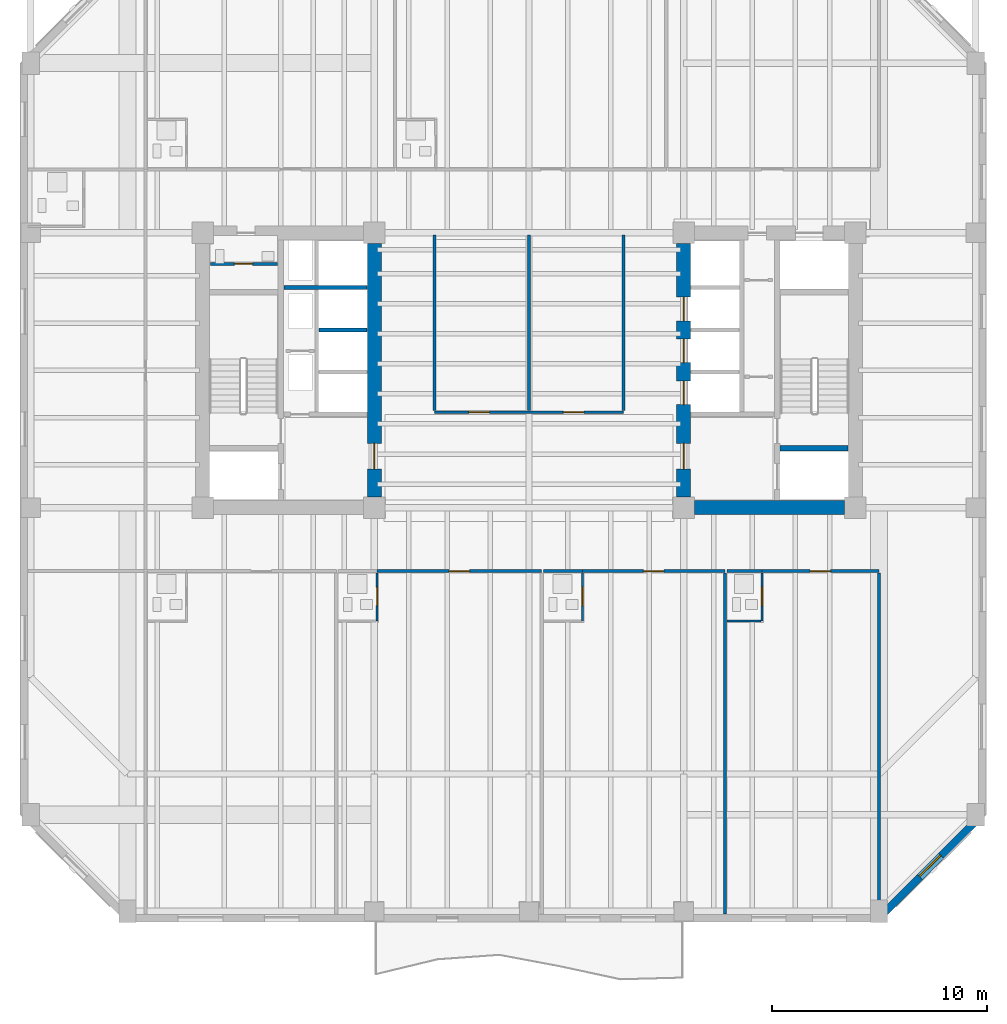
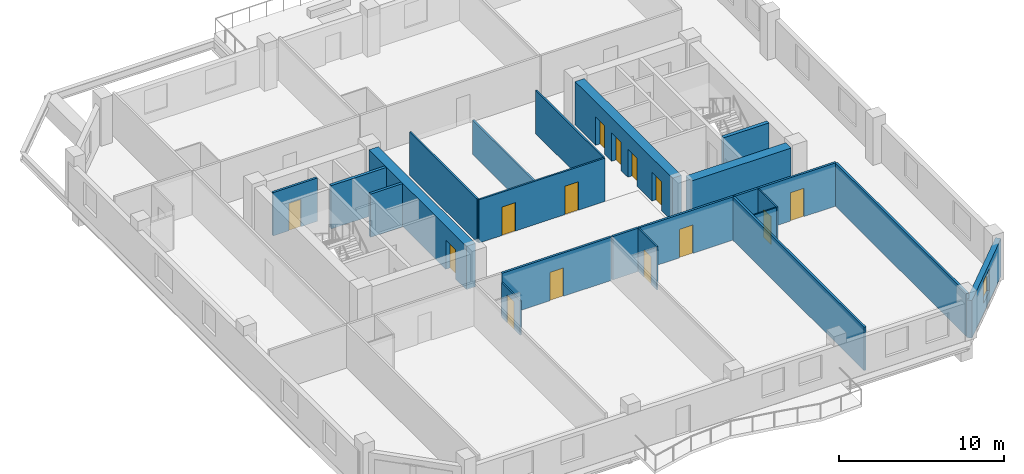
# One storey, part 4 of 11: 23 walls, 14 doors, 1 window, 15 openings.
"""IFC4 building model written with IfcOpenShell, lengths in metres."""

from ifc_helpers import new_model, si_unit, direction, frame, frame_2d, origin, place, context, subcontext, project, spatial, rectangle, extrude, material, layer, layer_set, type_object, element, fill, save


model = new_model("IFC4")

# Units and contexts
model_context = context("Model", 3, precision=1e-05, world=origin(), true_north=direction((0.0, 1.0)))
body_context = subcontext(model_context, "Body", "Model", "MODEL_VIEW")
ifc_project = project(units=[si_unit("LENGTHUNIT", "METRE"), si_unit("AREAUNIT", "SQUARE_METRE"), si_unit("VOLUMEUNIT", "CUBIC_METRE"), si_unit("PLANEANGLEUNIT", "RADIAN"), si_unit("MASSUNIT", "GRAM", prefix="KILO")], contexts=[model_context])

# Site, building, storey
site_placement = place(None, origin())
site = spatial("IfcSite", under=ifc_project, at=site_placement, CompositionType="ELEMENT")
building_placement = place(site_placement, origin())
building = spatial("IfcBuilding", under=site, at=building_placement, Name="Kranthara Brick Stack", CompositionType="ELEMENT")
storey_placement = place(building_placement, frame((0.0, 0.0, 120.300048828125)))
storey = spatial("IfcBuildingStorey", under=building, at=storey_placement, Name="L29", CompositionType="ELEMENT", Elevation=120.300048828125)

# Wall, opening, window
ifc_material_1 = material(Name="Kiln-fired clay brick masonry M15", Category="masonry")
ifc_layer_1 = layer(ifc_material_1, 0.35009765625)
ifc_layer_set_1 = layer_set([ifc_layer_1], Name="Kiln-fired clay brick masonry M15")
wall_type_1 = type_object("IfcWallType", Name="WL-BRK-SPND-350", PredefinedType="STANDARD", material=ifc_layer_set_1)
wall_1_placement = place(storey_placement, frame((49.10498046875, 6.5, 0.0), z_axis=(0.0, 0.0, 1.0), x_axis=(-0.707106781187, -0.707106781187, 0.0)))
wall_1 = element("IfcWall", 1, at=wall_1_placement, inside=storey, type_object=wall_type_1, Name="L29 Exterior Brick Facade Wall SE 1", PredefinedType="STANDARD", context=body_context, shape_type="SweptSolid", body=[
    extrude(rectangle(XDim=6.795166015625, YDim=0.35009765625, at=frame_2d((3.3974609375, 0.0))), origin(), (0.0, 0.0, 1.0), 2.784912109375),
])
opening_1_placement = place(wall_1_placement, frame((2.697998046875, 0.0, 0.75)))
opening_1 = element("IfcOpeningElement", 2, at=opening_1_placement, cuts=wall_1, Name="Opening WN10", PredefinedType="OPENING", context=body_context, shape_type="SweptSolid", body=[
    extrude(rectangle(XDim=1.39990234375, YDim=1.64990234375, at=frame_2d((0.699951171875, 0.824951171875))), frame((0.0, 0.18505859375, 0.0), z_axis=(0.0, -1.0, 0.0), x_axis=(1.0, 0.0, 0.0)), (0.0, 0.0, 1.0), 0.3701171875),
])
ifc_material_2 = material(Name="Double-glazed low-E solar control glass", Category="glass")
window_type = type_object("IfcWindowType", Name="WN-CHM-1400x1750", PartitioningType="SINGLE_PANEL", PredefinedType="WINDOW", material=ifc_material_2)
window_placement = place(opening_1_placement, origin())
window = element("IfcWindow", 3, at=window_placement, inside=storey, type_object=window_type, Name="L29 SE Chamfer Corner Window", OverallHeight=1.64990234375, OverallWidth=1.39990234375, PartitioningType="SINGLE_PANEL", PredefinedType="WINDOW", context=body_context, shape_type="SweptSolid", body=[
    extrude(rectangle(XDim=1.39990234375, YDim=1.64990234375, at=frame_2d((0.699951171875, 0.824951171875))), frame((0.0, -0.010009765625, 0.0), z_axis=(0.0, -1.0, 0.0), x_axis=(1.0, 0.0, 0.0)), (0.0, 0.0, 1.0), 0.06005859375),
])
fill(opening_1, window)

# Wall
ifc_material_3 = material(Name="Concrete C50/60", Category="concrete")
ifc_layer_2 = layer(ifc_material_3, 0.25)
ifc_layer_set_2 = layer_set([ifc_layer_2], Name="Concrete C50/60")
wall_type_2 = type_object("IfcWallType", Name="WL-CORE-250", PredefinedType="SHEAR", material=ifc_layer_set_2)
wall_2_placement = place(storey_placement, frame((39.68994140625, 23.570068359375, 0.0), z_axis=(0.0, 0.0, 1.0), x_axis=(1.0, 0.0, 0.0)))
element("IfcWall", 4, at=wall_2_placement, inside=storey, type_object=wall_type_2, Name="L29 East Stairwell Bearing Wall EFF", PredefinedType="SHEAR", context=body_context, shape_type="SweptSolid", body=[
    extrude(rectangle(XDim=3.175048828125, YDim=0.25, at=frame_2d((1.58740234375, 0.0))), origin(), (0.0, 0.0, 1.0), 3.199951171875),
])

# Wall, opening, door
ifc_material_4 = material(Name="Concrete C60/75", Category="concrete")
ifc_layer_3 = layer(ifc_material_4, 0.64990234375)
ifc_layer_set_3 = layer_set([ifc_layer_3], Name="Concrete C60/75")
wall_type_3 = type_object("IfcWallType", Name="WL-CORE-650", PredefinedType="SHEAR", material=ifc_layer_set_3)
wall_3_placement = place(storey_placement, frame((20.800048828125, 21.304931640625, 0.0), z_axis=(0.0, 0.0, 1.0), x_axis=(0.0, 1.0, 0.0)))
wall_3 = element("IfcWall", 5, at=wall_3_placement, inside=storey, type_object=wall_type_3, Name="L29 West Core Shear Wall East", PredefinedType="SHEAR", context=body_context, shape_type="SweptSolid", body=[
    extrude(rectangle(XDim=11.7900390625, YDim=0.64990234375, at=frame_2d((5.89501953125, 0.0))), origin(), (0.0, 0.0, 1.0), 3.199951171875),
])
opening_2_placement = place(wall_3_placement, frame((1.294921875, 0.0, 0.0)))
opening_2 = element("IfcOpeningElement", 6, at=opening_2_placement, cuts=wall_3, Name="Opening D06", PredefinedType="OPENING", context=body_context, shape_type="SweptSolid", body=[
    extrude(rectangle(XDim=1.199951171875, YDim=2.14990234375, at=frame_2d((0.60009765625, 1.074951171875))), frame((0.0, 0.3349609375, 0.0), z_axis=(0.0, -1.0, 0.0), x_axis=(1.0, 0.0, 0.0)), (0.0, 0.0, 1.0), 0.669921875),
])
ifc_material_5 = material(Name="Solid-core hardwood timber leaf in steel frame", Category="steel")
door_type_1 = type_object("IfcDoorType", Name="DR-FFL-1200", OperationType="NOTDEFINED", PredefinedType="DOOR", material=ifc_material_5)
door_1_placement = place(opening_2_placement, origin())
door_1 = element("IfcDoor", 7, at=door_1_placement, inside=storey, type_object=door_type_1, Name="L29 West Firefighting Lobby Door", OperationType="SINGLE_SWING_LEFT", OverallHeight=2.14990234375, OverallWidth=1.199951171875, PredefinedType="DOOR", context=body_context, shape_type="SweptSolid", body=[
    extrude(rectangle(XDim=1.199951171875, YDim=2.14990234375, at=frame_2d((0.60009765625, 1.074951171875))), frame((0.0, 0.02490234375, 0.0), z_axis=(0.0, -1.0, 0.0), x_axis=(1.0, 0.0, 0.0)), (0.0, 0.0, 1.0), 0.050048828125),
])
fill(opening_2, door_1)

# Wall
wall_4_placement = place(storey_placement, frame((35.705078125, 20.800048828125, 0.0), z_axis=(0.0, 0.0, 1.0), x_axis=(1.0, 0.0, 0.0)))
element("IfcWall", 8, at=wall_4_placement, inside=storey, type_object=wall_type_3, Name="L29 East Core Shear Wall South", PredefinedType="SHEAR", context=body_context, shape_type="SweptSolid", body=[
    extrude(rectangle(XDim=6.989990234375, YDim=0.64990234375, at=frame_2d((3.4951171875, 0.0))), origin(), (0.0, 0.0, 1.0), 3.199951171875),
])

# Wall, openings, doors
wall_5_placement = place(storey_placement, frame((35.199951171875, 21.304931640625, 0.0), z_axis=(0.0, 0.0, 1.0), x_axis=(0.0, 1.0, 0.0)))
wall_5 = element("IfcWall", 9, at=wall_5_placement, inside=storey, type_object=wall_type_3, Name="L29 East Core Shear Wall West", PredefinedType="SHEAR", context=body_context, shape_type="SweptSolid", body=[
    extrude(rectangle(XDim=11.7900390625, YDim=0.64990234375, at=frame_2d((5.89501953125, 0.0))), origin(), (0.0, 0.0, 1.0), 3.199951171875),
])
opening_3_placement = place(wall_5_placement, frame((1.294921875, 0.0, 0.0)))
opening_3 = element("IfcOpeningElement", 10, at=opening_3_placement, cuts=wall_5, Name="Opening D06", PredefinedType="OPENING", context=body_context, shape_type="SweptSolid", body=[
    extrude(rectangle(XDim=1.199951171875, YDim=2.14990234375, at=frame_2d((0.60009765625, 1.074951171875))), frame((0.0, 0.3349609375, 0.0), z_axis=(0.0, -1.0, 0.0), x_axis=(1.0, 0.0, 0.0)), (0.0, 0.0, 1.0), 0.669921875),
])
opening_4_placement = place(wall_5_placement, frame((4.294921875, 0.0, 0.0)))
opening_4 = element("IfcOpeningElement", 11, at=opening_4_placement, cuts=wall_5, Name="Opening LD02", PredefinedType="OPENING", context=body_context, shape_type="SweptSolid", body=[
    extrude(rectangle(XDim=1.10009765625, YDim=2.10009765625, at=frame_2d((0.550048828125, 1.050048828125))), frame((0.0, 0.3349609375, 0.0), z_axis=(0.0, -1.0, 0.0), x_axis=(1.0, 0.0, 0.0)), (0.0, 0.0, 1.0), 0.669921875),
])
opening_5_placement = place(wall_5_placement, frame((6.2451171875, 0.0, 0.0)))
opening_5 = element("IfcOpeningElement", 12, at=opening_5_placement, cuts=wall_5, Name="Opening LD02", PredefinedType="OPENING", context=body_context, shape_type="SweptSolid", body=[
    extrude(rectangle(XDim=1.10009765625, YDim=2.10009765625, at=frame_2d((0.550048828125, 1.050048828125))), frame((0.0, 0.3349609375, 0.0), z_axis=(0.0, -1.0, 0.0), x_axis=(1.0, 0.0, 0.0)), (0.0, 0.0, 1.0), 0.669921875),
])
opening_6_placement = place(wall_5_placement, frame((8.195068359375, 0.0, 0.0)))
opening_6 = element("IfcOpeningElement", 13, at=opening_6_placement, cuts=wall_5, Name="Opening LD02", PredefinedType="OPENING", context=body_context, shape_type="SweptSolid", body=[
    extrude(rectangle(XDim=1.10009765625, YDim=2.10009765625, at=frame_2d((0.550048828125, 1.050048828125))), frame((0.0, 0.3349609375, 0.0), z_axis=(0.0, -1.0, 0.0), x_axis=(1.0, 0.0, 0.0)), (0.0, 0.0, 1.0), 0.669921875),
])
door_2_placement = place(opening_3_placement, origin())
door_2 = element("IfcDoor", 14, at=door_2_placement, inside=storey, type_object=door_type_1, Name="L29 East Firefighting Lobby Door", OperationType="SINGLE_SWING_RIGHT", OverallHeight=2.14990234375, OverallWidth=1.199951171875, PredefinedType="DOOR", context=body_context, shape_type="SweptSolid", body=[
    extrude(rectangle(XDim=1.199951171875, YDim=2.14990234375, at=frame_2d((0.60009765625, 1.074951171875))), frame((0.0, 0.02490234375, 0.0), z_axis=(0.0, -1.0, 0.0), x_axis=(1.0, 0.0, 0.0)), (0.0, 0.0, 1.0), 0.050048828125),
])
fill(opening_3, door_2)
ifc_material_6 = material(Name="Stainless steel sliding landing door", Category="steel")
door_type_2 = type_object("IfcDoorType", Name="DR-LD-PL1100", OperationType="DOUBLE_DOOR_SLIDING", PredefinedType="DOOR", material=ifc_material_6)
door_3_placement = place(opening_4_placement, origin())
door_3 = element("IfcDoor", 15, at=door_3_placement, inside=storey, type_object=door_type_2, Name="L29 PL-04 Lift Landing Door", OperationType="DOUBLE_DOOR_SLIDING", OverallHeight=2.10009765625, OverallWidth=1.10009765625, PredefinedType="DOOR", context=body_context, shape_type="SweptSolid", body=[
    extrude(rectangle(XDim=1.10009765625, YDim=2.10009765625, at=frame_2d((0.550048828125, 1.050048828125))), frame((0.0, 0.02490234375, 0.0), z_axis=(0.0, -1.0, 0.0), x_axis=(1.0, 0.0, 0.0)), (0.0, 0.0, 1.0), 0.050048828125),
])
fill(opening_4, door_3)
door_4_placement = place(opening_5_placement, origin())
door_4 = element("IfcDoor", 16, at=door_4_placement, inside=storey, type_object=door_type_2, Name="L29 PL-05 Lift Landing Door", OperationType="DOUBLE_DOOR_SLIDING", OverallHeight=2.10009765625, OverallWidth=1.10009765625, PredefinedType="DOOR", context=body_context, shape_type="SweptSolid", body=[
    extrude(rectangle(XDim=1.10009765625, YDim=2.10009765625, at=frame_2d((0.550048828125, 1.050048828125))), frame((0.0, 0.02490234375, 0.0), z_axis=(0.0, -1.0, 0.0), x_axis=(1.0, 0.0, 0.0)), (0.0, 0.0, 1.0), 0.050048828125),
])
fill(opening_5, door_4)
door_5_placement = place(opening_6_placement, origin())
door_5 = element("IfcDoor", 17, at=door_5_placement, inside=storey, type_object=door_type_2, Name="L29 PL-06 Lift Landing Door", OperationType="DOUBLE_DOOR_SLIDING", OverallHeight=2.10009765625, OverallWidth=1.10009765625, PredefinedType="DOOR", context=body_context, shape_type="SweptSolid", body=[
    extrude(rectangle(XDim=1.10009765625, YDim=2.10009765625, at=frame_2d((0.550048828125, 1.050048828125))), frame((0.0, 0.02490234375, 0.0), z_axis=(0.0, -1.0, 0.0), x_axis=(1.0, 0.0, 0.0)), (0.0, 0.0, 1.0), 0.050048828125),
])
fill(opening_6, door_5)

# Wall, opening, door
ifc_material_7 = material(Name="Moisture-resistant wet-room partition", Category="other")
ifc_layer_4 = layer(ifc_material_7, 0.10009765625)
ifc_layer_set_4 = layer_set([ifc_layer_4], Name="Moisture-resistant wet-room partition")
wall_type_4 = type_object("IfcWallType", Name="WL-PART-100", PredefinedType="PARTITIONING", material=ifc_layer_set_4)
wall_6_placement = place(storey_placement, frame((20.928955078125, 15.52001953125, 0.0), z_axis=(0.0, 0.0, 1.0), x_axis=(0.0, 1.0, 0.0)))
wall_6 = element("IfcWall", 18, at=wall_6_placement, inside=storey, type_object=wall_type_4, Name="L29 Interior Partition 017", PredefinedType="PARTITIONING", context=body_context, shape_type="SweptSolid", body=[
    extrude(rectangle(XDim=2.25, YDim=0.10009765625, at=frame_2d((1.125, 0.0))), origin(), (0.0, 0.0, 1.0), 2.534912109375),
])
opening_7_placement = place(wall_6_placement, frame((0.719970703125, 0.0, 0.0)))
opening_7 = element("IfcOpeningElement", 19, at=opening_7_placement, cuts=wall_6, Name="Opening D17", PredefinedType="OPENING", context=body_context, shape_type="SweptSolid", body=[
    extrude(rectangle(XDim=0.85009765625, YDim=2.050048828125, at=frame_2d((0.425048828125, 1.02490234375))), frame((0.0, 0.06005859375, 0.0), z_axis=(0.0, -1.0, 0.0), x_axis=(1.0, 0.0, 0.0)), (0.0, 0.0, 1.0), 0.1201171875),
])
ifc_material_8 = material(Name="Solid-core hardwood timber leaf in steel frame", Category="steel")
door_type_3 = type_object("IfcDoorType", Name="DR-WET-850", OperationType="NOTDEFINED", PredefinedType="DOOR", material=ifc_material_8)
door_6_placement = place(opening_7_placement, origin())
door_6 = element("IfcDoor", 20, at=door_6_placement, inside=storey, type_object=door_type_3, Name="L29 Key 02 En-Suite Door 09", OperationType="SINGLE_SWING_LEFT", OverallHeight=2.050048828125, OverallWidth=0.85009765625, PredefinedType="DOOR", context=body_context, shape_type="SweptSolid", body=[
    extrude(rectangle(XDim=0.85009765625, YDim=2.050048828125, at=frame_2d((0.425048828125, 1.02490234375))), frame((0.0, 0.02490234375, 0.0), z_axis=(0.0, -1.0, 0.0), x_axis=(1.0, 0.0, 0.0)), (0.0, 0.0, 1.0), 0.050048828125),
])
fill(opening_7, door_6)

wall_7_placement = place(storey_placement, frame((30.490966796875, 15.52001953125, 0.0), z_axis=(0.0, 0.0, 1.0), x_axis=(0.0, 1.0, 0.0)))
wall_7 = element("IfcWall", 21, at=wall_7_placement, inside=storey, type_object=wall_type_4, Name="L29 Interior Partition 022", PredefinedType="PARTITIONING", context=body_context, shape_type="SweptSolid", body=[
    extrude(rectangle(XDim=2.25, YDim=0.10009765625, at=frame_2d((1.125, 0.0))), origin(), (0.0, 0.0, 1.0), 3.199951171875),
])
opening_8_placement = place(wall_7_placement, frame((0.719970703125, 0.0, 0.0)))
opening_8 = element("IfcOpeningElement", 22, at=opening_8_placement, cuts=wall_7, Name="Opening D17", PredefinedType="OPENING", context=body_context, shape_type="SweptSolid", body=[
    extrude(rectangle(XDim=0.85009765625, YDim=2.050048828125, at=frame_2d((0.425048828125, 1.02490234375))), frame((0.0, 0.06005859375, 0.0), z_axis=(0.0, -1.0, 0.0), x_axis=(1.0, 0.0, 0.0)), (0.0, 0.0, 1.0), 0.1201171875),
])
door_7_placement = place(opening_8_placement, origin())
door_7 = element("IfcDoor", 23, at=door_7_placement, inside=storey, type_object=door_type_3, Name="L29 Key 03 En-Suite Door 11", OperationType="SINGLE_SWING_LEFT", OverallHeight=2.050048828125, OverallWidth=0.85009765625, PredefinedType="DOOR", context=body_context, shape_type="SweptSolid", body=[
    extrude(rectangle(XDim=0.85009765625, YDim=2.050048828125, at=frame_2d((0.425048828125, 1.02490234375))), frame((0.0, 0.02490234375, 0.0), z_axis=(0.0, -1.0, 0.0), x_axis=(1.0, 0.0, 0.0)), (0.0, 0.0, 1.0), 0.050048828125),
])
fill(opening_8, door_7)

wall_8_placement = place(storey_placement, frame((38.85009765625, 15.52001953125, 0.0), z_axis=(0.0, 0.0, 1.0), x_axis=(0.0, 1.0, 0.0)))
wall_8 = element("IfcWall", 24, at=wall_8_placement, inside=storey, type_object=wall_type_4, Name="L29 Interior Partition 027", PredefinedType="PARTITIONING", context=body_context, shape_type="SweptSolid", body=[
    extrude(rectangle(XDim=2.25, YDim=0.10009765625, at=frame_2d((1.125, 0.0))), origin(), (0.0, 0.0, 1.0), 3.199951171875),
])
opening_9_placement = place(wall_8_placement, frame((0.719970703125, 0.0, 0.0)))
opening_9 = element("IfcOpeningElement", 25, at=opening_9_placement, cuts=wall_8, Name="Opening D17", PredefinedType="OPENING", context=body_context, shape_type="SweptSolid", body=[
    extrude(rectangle(XDim=0.85009765625, YDim=2.050048828125, at=frame_2d((0.425048828125, 1.02490234375))), frame((0.0, 0.06005859375, 0.0), z_axis=(0.0, -1.0, 0.0), x_axis=(1.0, 0.0, 0.0)), (0.0, 0.0, 1.0), 0.1201171875),
])
door_8_placement = place(opening_9_placement, origin())
door_8 = element("IfcDoor", 26, at=door_8_placement, inside=storey, type_object=door_type_3, Name="L29 Key 04 En-Suite Door 13", OperationType="SINGLE_SWING_LEFT", OverallHeight=2.050048828125, OverallWidth=0.85009765625, PredefinedType="DOOR", context=body_context, shape_type="SweptSolid", body=[
    extrude(rectangle(XDim=0.85009765625, YDim=2.050048828125, at=frame_2d((0.425048828125, 1.02490234375))), frame((0.0, 0.02490234375, 0.0), z_axis=(0.0, -1.0, 0.0), x_axis=(1.0, 0.0, 0.0)), (0.0, 0.0, 1.0), 0.050048828125),
])
fill(opening_9, door_8)

# Wall
wall_9_placement = place(storey_placement, frame((37.208984375, 15.52001953125, 0.0), z_axis=(0.0, 0.0, 1.0), x_axis=(1.0, 0.0, 0.0)))
element("IfcWall", 27, at=wall_9_placement, inside=storey, type_object=wall_type_4, Name="L29 Interior Partition 028", PredefinedType="PARTITIONING", context=body_context, shape_type="SweptSolid", body=[
    extrude(rectangle(XDim=1.5859375, YDim=0.10009765625, at=frame_2d((0.79296875, 0.0))), origin(), (0.0, 0.0, 1.0), 3.199951171875),
])

# Wall, openings, doors
ifc_material_9 = material(Name="Acoustic gypsum plasterboard partition", Category="other")
ifc_layer_5 = layer(ifc_material_9, 0.1201171875)
ifc_layer_set_5 = layer_set([ifc_layer_5], Name="Acoustic gypsum plasterboard partition")
wall_type_5 = type_object("IfcWallType", Name="WL-PART-120", PredefinedType="PARTITIONING", material=ifc_layer_set_5)
wall_10_placement = place(storey_placement, frame((23.60009765625, 25.25, 0.0), z_axis=(0.0, 0.0, 1.0), x_axis=(1.0, 0.0, 0.0)))
wall_10 = element("IfcWall", 28, at=wall_10_placement, inside=storey, type_object=wall_type_5, Name="L29 Interior Partition 005", PredefinedType="PARTITIONING", context=body_context, shape_type="SweptSolid", body=[
    extrude(rectangle(XDim=8.7998046875, YDim=0.1201171875, at=frame_2d((4.39990234375, 0.0))), origin(), (0.0, 0.0, 1.0), 3.199951171875),
])
opening_10_placement = place(wall_10_placement, frame((1.60009765625, 0.0, 0.0)))
opening_10 = element("IfcOpeningElement", 29, at=opening_10_placement, cuts=wall_10, Name="Opening D14", PredefinedType="OPENING", context=body_context, shape_type="SweptSolid", body=[
    extrude(rectangle(XDim=0.949951171875, YDim=2.10009765625, at=frame_2d((0.47509765625, 1.050048828125))), frame((0.0, 0.070068359375, 0.0), z_axis=(0.0, -1.0, 0.0), x_axis=(1.0, 0.0, 0.0)), (0.0, 0.0, 1.0), 0.14013671875),
])
opening_11_placement = place(wall_10_placement, frame((6.0, 0.0, 0.0)))
opening_11 = element("IfcOpeningElement", 30, at=opening_11_placement, cuts=wall_10, Name="Opening D14", PredefinedType="OPENING", context=body_context, shape_type="SweptSolid", body=[
    extrude(rectangle(XDim=0.949951171875, YDim=2.10009765625, at=frame_2d((0.47509765625, 1.050048828125))), frame((0.0, 0.070068359375, 0.0), z_axis=(0.0, -1.0, 0.0), x_axis=(1.0, 0.0, 0.0)), (0.0, 0.0, 1.0), 0.14013671875),
])
ifc_material_10 = material(Name="Solid-core hardwood timber leaf in steel frame", Category="steel")
door_type_4 = type_object("IfcDoorType", Name="DR-INT-950", OperationType="NOTDEFINED", PredefinedType="DOOR", material=ifc_material_10)
door_9_placement = place(opening_10_placement, origin())
door_9 = element("IfcDoor", 31, at=door_9_placement, inside=storey, type_object=door_type_4, Name="L29 Business Study Door 05", OperationType="SINGLE_SWING_LEFT", OverallHeight=2.10009765625, OverallWidth=0.949951171875, PredefinedType="DOOR", context=body_context, shape_type="SweptSolid", body=[
    extrude(rectangle(XDim=0.949951171875, YDim=2.10009765625, at=frame_2d((0.47509765625, 1.050048828125))), frame((0.0, 0.02490234375, 0.0), z_axis=(0.0, -1.0, 0.0), x_axis=(1.0, 0.0, 0.0)), (0.0, 0.0, 1.0), 0.050048828125),
])
fill(opening_10, door_9)
door_10_placement = place(opening_11_placement, origin())
door_10 = element("IfcDoor", 32, at=door_10_placement, inside=storey, type_object=door_type_4, Name="L29 Housekeeping Linen Door 06", OperationType="SINGLE_SWING_RIGHT", OverallHeight=2.10009765625, OverallWidth=0.949951171875, PredefinedType="DOOR", context=body_context, shape_type="SweptSolid", body=[
    extrude(rectangle(XDim=0.949951171875, YDim=2.10009765625, at=frame_2d((0.47509765625, 1.050048828125))), frame((0.0, 0.02490234375, 0.0), z_axis=(0.0, -1.0, 0.0), x_axis=(1.0, 0.0, 0.0)), (0.0, 0.0, 1.0), 0.050048828125),
])
fill(opening_11, door_10)

# Walls
for number, where, z_axis, x_axis, name in (
    (33, (23.60009765625, 25.31494140625, 0.0), (0.0, 0.0, 1.0), (0.0, 1.0, 0.0), "L29 Interior Partition 006"),
    (34, (32.39990234375, 25.31494140625, 0.0), (0.0, 0.0, 1.0), (0.0, 1.0, 0.0), "L29 Interior Partition 007"),
):
    element("IfcWall", number, at=place(storey_placement, frame(where, z_axis=z_axis, x_axis=x_axis)), inside=storey, type_object=wall_type_5, Name=name, PredefinedType="PARTITIONING", context=body_context, shape_type="SweptSolid", body=[
        extrude(rectangle(XDim=8.18505859375, YDim=0.1201171875, at=frame_2d((4.092529296875, 0.0))), origin(), (0.0, 0.0, 1.0), 3.199951171875),
    ])
wall_11_placement = place(storey_placement, frame((28.0, 25.31494140625, 0.0), z_axis=(0.0, 0.0, 1.0), x_axis=(0.0, 1.0, 0.0)))
element("IfcWall", 35, at=wall_11_placement, inside=storey, type_object=wall_type_5, Name="L29 Interior Partition 008", PredefinedType="PARTITIONING", context=body_context, shape_type="SweptSolid", body=[
    extrude(rectangle(XDim=8.18505859375, YDim=0.1201171875, at=frame_2d((4.092529296875, 0.0))), origin(), (0.0, 0.0, 1.0), 2.534912109375),
])

# Wall, opening, door
ifc_material_11 = material(Name="Fire-rated gypsum board partition", Category="other")
ifc_layer_6 = layer(ifc_material_11, 0.14990234375)
ifc_layer_set_6 = layer_set([ifc_layer_6], Name="Fire-rated gypsum board partition")
wall_type_6 = type_object("IfcWallType", Name="WL-PART-150", PredefinedType="PARTITIONING", material=ifc_layer_set_6)
wall_12_placement = place(storey_placement, frame((13.179931640625, 32.14990234375, 0.0), z_axis=(0.0, 0.0, 1.0), x_axis=(1.0, 0.0, 0.0)))
wall_12 = element("IfcWall", 36, at=wall_12_placement, inside=storey, type_object=wall_type_6, Name="L29 Interior Partition 001", PredefinedType="PARTITIONING", context=body_context, shape_type="SweptSolid", body=[
    extrude(rectangle(XDim=3.10009765625, YDim=0.14990234375, at=frame_2d((1.550048828125, 0.0))), origin(), (0.0, 0.0, 1.0), 3.199951171875),
])
opening_12_placement = place(wall_12_placement, frame((1.10009765625, 0.0, 0.0)))
opening_12 = element("IfcOpeningElement", 37, at=opening_12_placement, cuts=wall_12, Name="Opening D10", PredefinedType="OPENING", context=body_context, shape_type="SweptSolid", body=[
    extrude(rectangle(XDim=0.85009765625, YDim=2.02001953125, at=frame_2d((0.425048828125, 1.010009765625))), frame((0.0, 0.0849609375, 0.0), z_axis=(0.0, -1.0, 0.0), x_axis=(1.0, 0.0, 0.0)), (0.0, 0.0, 1.0), 0.169921875),
])
ifc_material_12 = material(Name="Solid-core hardwood timber leaf in steel frame", Category="steel")
door_type_5 = type_object("IfcDoorType", Name="DR-RSR-850", OperationType="NOTDEFINED", PredefinedType="DOOR", material=ifc_material_12)
door_11_placement = place(opening_12_placement, origin())
door_11 = element("IfcDoor", 38, at=door_11_placement, inside=storey, type_object=door_type_5, Name="L29 West Inner Riser Door 01", OperationType="SINGLE_SWING_LEFT", OverallHeight=2.02001953125, OverallWidth=0.85009765625, PredefinedType="DOOR", context=body_context, shape_type="SweptSolid", body=[
    extrude(rectangle(XDim=0.85009765625, YDim=2.02001953125, at=frame_2d((0.425048828125, 1.010009765625))), frame((0.0, 0.02490234375, 0.0), z_axis=(0.0, -1.0, 0.0), x_axis=(1.0, 0.0, 0.0)), (0.0, 0.0, 1.0), 0.050048828125),
])
fill(opening_12, door_11)

wall_13_placement = place(storey_placement, frame((20.928955078125, 17.85009765625, 0.0), z_axis=(0.0, 0.0, 1.0), x_axis=(1.0, 0.0, 0.0)))
wall_13 = element("IfcWall", 39, at=wall_13_placement, inside=storey, type_object=wall_type_6, Name="L29 Interior Partition 016", PredefinedType="PARTITIONING", context=body_context, shape_type="SweptSolid", body=[
    extrude(rectangle(XDim=7.662109375, YDim=0.14990234375, at=frame_2d((3.8310546875, 0.0))), origin(), (0.0, 0.0, 1.0), 3.199951171875),
])
opening_13_placement = place(wall_13_placement, frame((3.35107421875, 0.0, 0.0)))
opening_13 = element("IfcOpeningElement", 40, at=opening_13_placement, cuts=wall_13, Name="Opening D09", PredefinedType="OPENING", context=body_context, shape_type="SweptSolid", body=[
    extrude(rectangle(XDim=0.949951171875, YDim=2.10009765625, at=frame_2d((0.47509765625, 1.050048828125))), frame((0.0, 0.0849609375, 0.0), z_axis=(0.0, -1.0, 0.0), x_axis=(1.0, 0.0, 0.0)), (0.0, 0.0, 1.0), 0.169921875),
])
ifc_material_13 = material(Name="Solid-core hardwood timber leaf in steel frame", Category="steel")
door_type_6 = type_object("IfcDoorType", Name="DR-FD-950", OperationType="NOTDEFINED", PredefinedType="DOOR", material=ifc_material_13)
door_12_placement = place(opening_13_placement, origin())
door_12 = element("IfcDoor", 41, at=door_12_placement, inside=storey, type_object=door_type_6, Name="L29 Key 02 Entry 10", OperationType="SINGLE_SWING_RIGHT", OverallHeight=2.10009765625, OverallWidth=0.949951171875, PredefinedType="DOOR", context=body_context, shape_type="SweptSolid", body=[
    extrude(rectangle(XDim=0.949951171875, YDim=2.10009765625, at=frame_2d((0.47509765625, 1.050048828125))), frame((0.0, 0.02490234375, 0.0), z_axis=(0.0, -1.0, 0.0), x_axis=(1.0, 0.0, 0.0)), (0.0, 0.0, 1.0), 0.050048828125),
])
fill(opening_13, door_12)

# Wall
wall_14_placement = place(storey_placement, frame((28.6708984375, 17.85009765625, 0.0), z_axis=(0.0, 0.0, 1.0), x_axis=(1.0, 0.0, 0.0)))
element("IfcWall", 42, at=wall_14_placement, inside=storey, type_object=wall_type_6, Name="L29 Interior Partition 020", PredefinedType="PARTITIONING", context=body_context, shape_type="SweptSolid", body=[
    extrude(rectangle(XDim=1.820068359375, YDim=0.14990234375, at=frame_2d((0.91015625, 0.0))), origin(), (0.0, 0.0, 1.0), 3.199951171875),
])

# Wall, opening, door
wall_15_placement = place(storey_placement, frame((30.490966796875, 17.85009765625, 0.0), z_axis=(0.0, 0.0, 1.0), x_axis=(1.0, 0.0, 0.0)))
wall_15 = element("IfcWall", 43, at=wall_15_placement, inside=storey, type_object=wall_type_6, Name="L29 Interior Partition 021", PredefinedType="PARTITIONING", context=body_context, shape_type="SweptSolid", body=[
    extrude(rectangle(XDim=6.637939453125, YDim=0.14990234375, at=frame_2d((3.31884765625, 0.0))), origin(), (0.0, 0.0, 1.0), 3.199951171875),
])
opening_14_placement = place(wall_15_placement, frame((2.839111328125, 0.0, 0.0)))
opening_14 = element("IfcOpeningElement", 44, at=opening_14_placement, cuts=wall_15, Name="Opening D09", PredefinedType="OPENING", context=body_context, shape_type="SweptSolid", body=[
    extrude(rectangle(XDim=0.949951171875, YDim=2.10009765625, at=frame_2d((0.47509765625, 1.050048828125))), frame((0.0, 0.0849609375, 0.0), z_axis=(0.0, -1.0, 0.0), x_axis=(1.0, 0.0, 0.0)), (0.0, 0.0, 1.0), 0.169921875),
])
door_13_placement = place(opening_14_placement, origin())
door_13 = element("IfcDoor", 45, at=door_13_placement, inside=storey, type_object=door_type_6, Name="L29 Key 03 Entry 12", OperationType="SINGLE_SWING_RIGHT", OverallHeight=2.10009765625, OverallWidth=0.949951171875, PredefinedType="DOOR", context=body_context, shape_type="SweptSolid", body=[
    extrude(rectangle(XDim=0.949951171875, YDim=2.10009765625, at=frame_2d((0.47509765625, 1.050048828125))), frame((0.0, 0.02490234375, 0.0), z_axis=(0.0, -1.0, 0.0), x_axis=(1.0, 0.0, 0.0)), (0.0, 0.0, 1.0), 0.050048828125),
])
fill(opening_14, door_13)

# Walls
wall_16_placement = place(storey_placement, frame((37.12890625, 1.875, 0.0), z_axis=(0.0, 0.0, 1.0), x_axis=(0.0, 1.0, 0.0)))
element("IfcWall", 46, at=wall_16_placement, inside=storey, type_object=wall_type_6, Name="L29 Interior Partition 024", PredefinedType="PARTITIONING", context=body_context, shape_type="SweptSolid", body=[
    extrude(rectangle(XDim=15.89501953125, YDim=0.14990234375, at=frame_2d((7.947509765625, 0.0))), origin(), (0.0, 0.0, 1.0), 3.199951171875),
])
wall_17_placement = place(storey_placement, frame((37.208984375, 17.85009765625, 0.0), z_axis=(0.0, 0.0, 1.0), x_axis=(1.0, 0.0, 0.0)))
element("IfcWall", 47, at=wall_17_placement, inside=storey, type_object=wall_type_6, Name="L29 Interior Partition 025", PredefinedType="PARTITIONING", context=body_context, shape_type="SweptSolid", body=[
    extrude(rectangle(XDim=1.64111328125, YDim=0.14990234375, at=frame_2d((0.820556640625, 0.0))), origin(), (0.0, 0.0, 1.0), 3.199951171875),
])

# Wall, opening, door
wall_18_placement = place(storey_placement, frame((38.85009765625, 17.85009765625, 0.0), z_axis=(0.0, 0.0, 1.0), x_axis=(1.0, 0.0, 0.0)))
wall_18 = element("IfcWall", 48, at=wall_18_placement, inside=storey, type_object=wall_type_6, Name="L29 Interior Partition 026", PredefinedType="PARTITIONING", context=body_context, shape_type="SweptSolid", body=[
    extrude(rectangle(XDim=5.449951171875, YDim=0.14990234375, at=frame_2d((2.72509765625, 0.0))), origin(), (0.0, 0.0, 1.0), 3.199951171875),
])
opening_15_placement = place(wall_18_placement, frame((2.2451171875, 0.0, 0.0)))
opening_15 = element("IfcOpeningElement", 49, at=opening_15_placement, cuts=wall_18, Name="Opening D09", PredefinedType="OPENING", context=body_context, shape_type="SweptSolid", body=[
    extrude(rectangle(XDim=0.949951171875, YDim=2.10009765625, at=frame_2d((0.47509765625, 1.050048828125))), frame((0.0, 0.0849609375, 0.0), z_axis=(0.0, -1.0, 0.0), x_axis=(1.0, 0.0, 0.0)), (0.0, 0.0, 1.0), 0.169921875),
])
door_14_placement = place(opening_15_placement, origin())
door_14 = element("IfcDoor", 50, at=door_14_placement, inside=storey, type_object=door_type_6, Name="L29 Key 04 Entry 14", OperationType="SINGLE_SWING_RIGHT", OverallHeight=2.10009765625, OverallWidth=0.949951171875, PredefinedType="DOOR", context=body_context, shape_type="SweptSolid", body=[
    extrude(rectangle(XDim=0.949951171875, YDim=2.10009765625, at=frame_2d((0.47509765625, 1.050048828125))), frame((0.0, 0.02490234375, 0.0), z_axis=(0.0, -1.0, 0.0), x_axis=(1.0, 0.0, 0.0)), (0.0, 0.0, 1.0), 0.050048828125),
])
fill(opening_15, door_14)

# Walls
wall_19_placement = place(storey_placement, frame((44.300048828125, 1.875, 0.0), z_axis=(0.0, 0.0, 1.0), x_axis=(0.0, 1.0, 0.0)))
element("IfcWall", 51, at=wall_19_placement, inside=storey, type_object=wall_type_6, Name="L29 Interior Partition 029", PredefinedType="PARTITIONING", context=body_context, shape_type="SweptSolid", body=[
    extrude(rectangle(XDim=15.89501953125, YDim=0.14990234375, at=frame_2d((7.947509765625, 0.0))), origin(), (0.0, 0.0, 1.0), 3.199951171875),
])
ifc_material_14 = material(Name="Gypsum plasterboard on acoustic twin stud", Category="other")
ifc_layer_7 = layer(ifc_material_14, 0.179931640625)
ifc_layer_set_7 = layer_set([ifc_layer_7], Name="Gypsum plasterboard on acoustic twin stud")
wall_type_7 = type_object("IfcWallType", Name="WL-PART-180", PredefinedType="PARTITIONING", material=ifc_layer_set_7)
wall_20_placement = place(storey_placement, frame((18.219970703125, 29.080078125, 0.0), z_axis=(0.0, 0.0, 1.0), x_axis=(1.0, 0.0, 0.0)))
element("IfcWall", 52, at=wall_20_placement, inside=storey, type_object=wall_type_7, Name="L29 West Hoistway Wall WH2", PredefinedType="PARTITIONING", context=body_context, shape_type="SweptSolid", body=[
    extrude(rectangle(XDim=2.2451171875, YDim=0.179931640625, at=frame_2d((1.12255859375, 0.0))), origin(), (0.0, 0.0, 1.0), 3.199951171875),
])
ifc_material_15 = material(Name="Concrete C40/50", Category="concrete")
ifc_layer_8 = layer(ifc_material_15, 0.199951171875)
ifc_layer_set_8 = layer_set([ifc_layer_8], Name="Concrete C40/50")
wall_type_8 = type_object("IfcWallType", Name="WL-PART-200", PredefinedType="SOLIDWALL", material=ifc_layer_set_8)
wall_21_placement = place(storey_placement, frame((16.60009765625, 31.050048828125, 0.0), z_axis=(0.0, 0.0, 1.0), x_axis=(1.0, 0.0, 0.0)))
element("IfcWall", 53, at=wall_21_placement, inside=storey, type_object=wall_type_8, Name="L29 West Core Cross Wall WH4", PredefinedType="SOLIDWALL", context=body_context, shape_type="SweptSolid", body=[
    extrude(rectangle(XDim=3.849853515625, YDim=0.199951171875, at=frame_2d((1.9248046875, 0.0))), origin(), (0.0, 0.0, 1.0), 3.199951171875),
])

save(model, "model.ifc")
